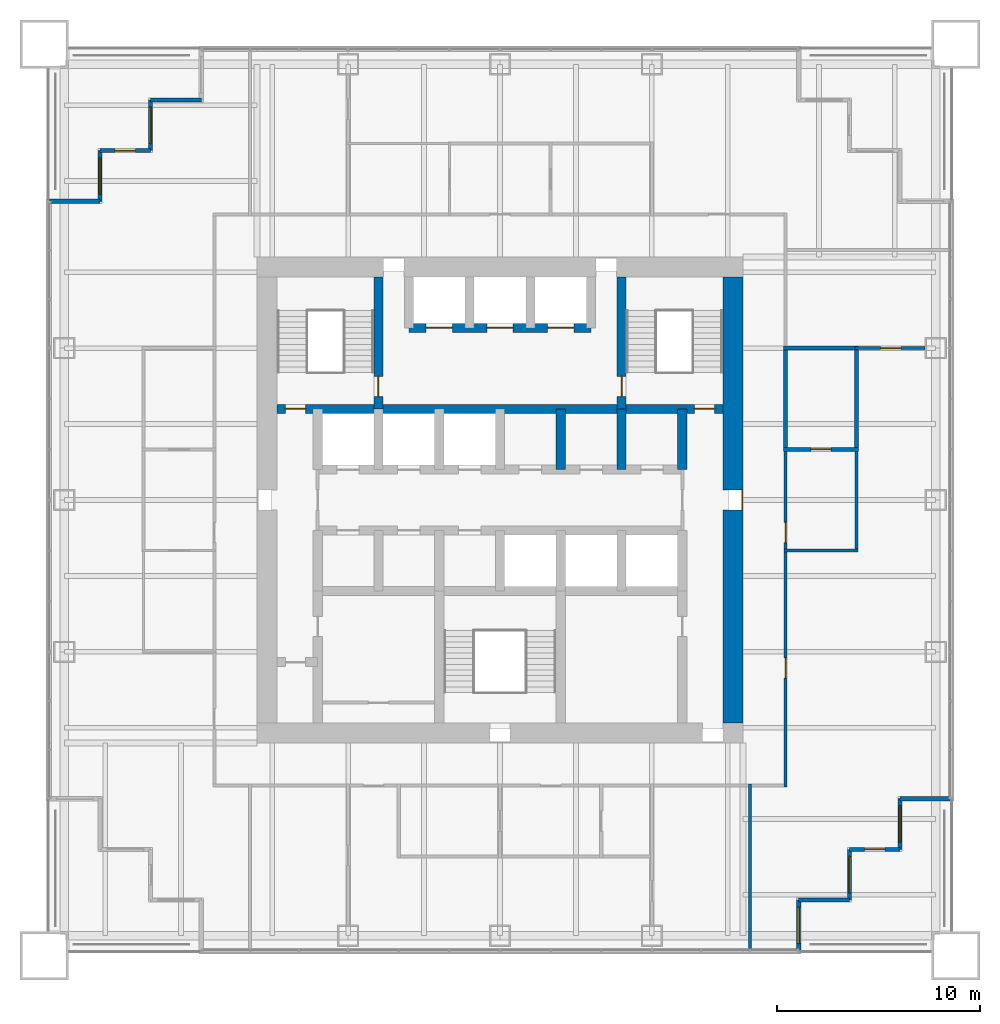
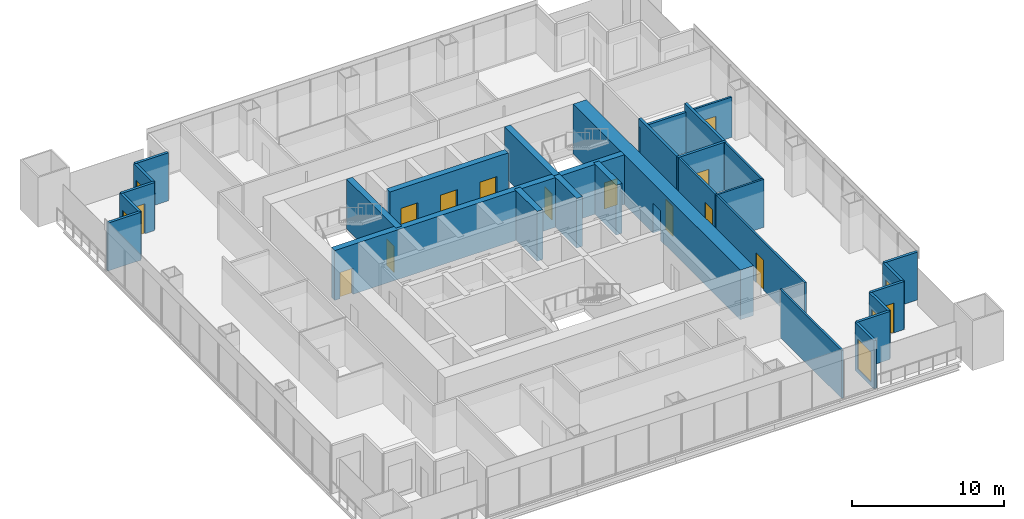
# One storey, part 10 of 13: 28 walls, 14 doors, 5 windows, 19 openings.
"""IFC4 building model written with IfcOpenShell, lengths in metres."""

from ifc_helpers import new_model, si_unit, direction, frame, frame_2d, origin, place, context, subcontext, project, spatial, rectangle, extrude, material, layer, layer_set, type_object, element, fill, save


model = new_model("IFC4")

# Units and contexts
model_context = context("Model", 3, precision=1e-05, world=origin(), true_north=direction((0.0, 1.0)))
body_context = subcontext(model_context, "Body", "Model", "MODEL_VIEW")
ifc_project = project(units=[si_unit("LENGTHUNIT", "METRE"), si_unit("AREAUNIT", "SQUARE_METRE"), si_unit("VOLUMEUNIT", "CUBIC_METRE"), si_unit("PLANEANGLEUNIT", "RADIAN"), si_unit("MASSUNIT", "GRAM", prefix="KILO")], contexts=[model_context])

# Site, building, storey
site_placement = place(None, origin())
site = spatial("IfcSite", under=ifc_project, at=site_placement, CompositionType="ELEMENT")
building_placement = place(site_placement, origin())
building = spatial("IfcBuilding", under=site, at=building_placement, Name="Tarangal Relay Tower", CompositionType="ELEMENT")
storey_placement = place(building_placement, frame((0.0, 0.0, 209.89990234375)))
storey = spatial("IfcBuildingStorey", under=building, at=storey_placement, Name="L44", CompositionType="ELEMENT", Elevation=209.89990234375)

# Wall, opening, door
ifc_material_1 = material(Name="Two layers gypsum board each side on twin steel studs, mineral wool", Category="steel")
ifc_layer_1 = layer(ifc_material_1, 0.199951171875)
ifc_layer_set_1 = layer_set([ifc_layer_1], Name="Acoustic partition 200")
wall_type_1 = type_object("IfcWallType", Name="Acoustic partition 200", PredefinedType="PARTITIONING", material=ifc_layer_set_1)
wall_1_placement = place(storey_placement, frame((14.0, 2.5, 0.0), z_axis=(0.0, 0.0, 1.0), x_axis=(1.0, 0.0, 0.0)))
wall_1 = element("IfcWall", 1, at=wall_1_placement, inside=storey, type_object=wall_type_1, Name="Partition PT2 L44", PredefinedType="PARTITIONING", context=body_context, shape_type="SweptSolid", body=[
    extrude(rectangle(XDim=3.699951171875, YDim=0.199951171875, at=frame_2d((1.85009765625, 0.0))), origin(), (0.0, 0.0, 1.0), 3.85009765625),
])
opening_1_placement = place(wall_1_placement, frame((1.35009765625, 0.0, 0.0)))
opening_1 = element("IfcOpeningElement", 2, at=opening_1_placement, cuts=wall_1, Name="Opening D2", PredefinedType="OPENING", context=body_context, shape_type="SweptSolid", body=[
    extrude(rectangle(XDim=1.0, YDim=2.10009765625, at=frame_2d((0.5, 1.050048828125))), frame((0.0, 0.10986328125, 0.0), z_axis=(0.0, -1.0, 0.0), x_axis=(1.0, 0.0, 0.0)), (0.0, 0.0, 1.0), 0.219970703125),
])
ifc_material_2 = material(Name="Hardwood door", Category="wood")
door_type_1 = type_object("IfcDoorType", Name="Door 1000 x 2100", OperationType="SINGLE_SWING_LEFT", PredefinedType="DOOR", material=ifc_material_2)
door_1_placement = place(opening_1_placement, origin())
door_1 = element("IfcDoor", 3, at=door_1_placement, inside=storey, type_object=door_type_1, Name="Door D2 to meeting room L44-07", OperationType="SINGLE_SWING_LEFT", OverallHeight=2.10009765625, OverallWidth=1.0, PredefinedType="DOOR", context=body_context, shape_type="SweptSolid", body=[
    extrude(rectangle(XDim=1.0, YDim=2.10009765625, at=frame_2d((0.5, 1.050048828125))), frame((0.0, 0.02490234375, 0.0), z_axis=(0.0, -1.0, 0.0), x_axis=(1.0, 0.0, 0.0)), (0.0, 0.0, 1.0), 0.050048828125),
])
fill(opening_1, door_1)

# Walls
wall_2_placement = place(storey_placement, frame((14.0, 7.5, 0.0), z_axis=(0.0, 0.0, 1.0), x_axis=(1.0, 0.0, 0.0)))
element("IfcWall", 4, at=wall_2_placement, inside=storey, type_object=wall_type_1, Name="Partition PT2 L44", PredefinedType="PARTITIONING", context=body_context, shape_type="SweptSolid", body=[
    extrude(rectangle(XDim=3.699951171875, YDim=0.199951171875, at=frame_2d((1.85009765625, 0.0))), origin(), (0.0, 0.0, 1.0), 3.238037109375),
])
for number, where, z_axis, x_axis, name in (
    (5, (14.10009765625, 2.39990234375, 0.0), (0.0, 0.0, 1.0), (0.0, 1.0, 0.0), "Partition PT2 L44"),
    (6, (17.60009765625, 2.39990234375, 0.0), (0.0, 0.0, 1.0), (0.0, 1.0, 0.0), "Partition PT2 L44"),
):
    element("IfcWall", number, at=place(storey_placement, frame(where, z_axis=z_axis, x_axis=x_axis)), inside=storey, type_object=wall_type_1, Name=name, PredefinedType="PARTITIONING", context=body_context, shape_type="SweptSolid", body=[
        extrude(rectangle(XDim=5.2001953125, YDim=0.199951171875, at=frame_2d((2.60009765625, 0.0))), origin(), (0.0, 0.0, 1.0), 3.85009765625),
    ])

# Wall, openings, doors
ifc_material_3 = material(Name="Concrete fc' 60 MPa", Category="concrete")
ifc_layer_2 = layer(ifc_material_3, 0.449951171875)
ifc_layer_set_2 = layer_set([ifc_layer_2], Name="Core inner wall 450")
wall_type_2 = type_object("IfcWallType", Name="Core inner wall 450", PredefinedType="SHEAR", material=ifc_layer_set_2)
wall_3_placement = place(storey_placement, frame((-11.0, 4.5, 0.0), z_axis=(0.0, 0.0, 1.0), x_axis=(1.0, 0.0, 0.0)))
wall_3 = element("IfcWall", 7, at=wall_3_placement, inside=storey, type_object=wall_type_2, Name="Core wall Y45 L44", PredefinedType="SHEAR", context=body_context, shape_type="SweptSolid", body=[
    extrude(rectangle(XDim=22.0, YDim=0.449951171875, at=frame_2d((11.0, 0.0))), origin(), (0.0, 0.0, 1.0), 4.0),
])
opening_2_placement = place(wall_3_placement, frame((0.39990234375, 0.0, 0.0)))
opening_2 = element("IfcOpeningElement", 8, at=opening_2_placement, cuts=wall_3, Name="Opening FD1", PredefinedType="OPENING", context=body_context, shape_type="SweptSolid", body=[
    extrude(rectangle(XDim=1.0, YDim=2.10009765625, at=frame_2d((0.5, 1.050048828125))), frame((0.0, 0.23486328125, 0.0), z_axis=(0.0, -1.0, 0.0), x_axis=(1.0, 0.0, 0.0)), (0.0, 0.0, 1.0), 0.469970703125),
])
opening_3_placement = place(wall_3_placement, frame((20.60009765625, 0.0, 0.0)))
opening_3 = element("IfcOpeningElement", 9, at=opening_3_placement, cuts=wall_3, Name="Opening FD1", PredefinedType="OPENING", context=body_context, shape_type="SweptSolid", body=[
    extrude(rectangle(XDim=1.0, YDim=2.10009765625, at=frame_2d((0.5, 1.050048828125))), frame((0.0, 0.23486328125, 0.0), z_axis=(0.0, -1.0, 0.0), x_axis=(1.0, 0.0, 0.0)), (0.0, 0.0, 1.0), 0.469970703125),
])
ifc_material_4 = material(Name="Steel door with hardwood frame", Category="steel")
door_type_2 = type_object("IfcDoorType", Name="Fire door 1000 x 2100", OperationType="SINGLE_SWING_LEFT", PredefinedType="DOOR", material=ifc_material_4)
door_2_placement = place(opening_2_placement, origin())
door_2 = element("IfcDoor", 10, at=door_2_placement, inside=storey, type_object=door_type_2, Name="Stair ST-A door from corridor L44", OperationType="SINGLE_SWING_LEFT", OverallHeight=2.10009765625, OverallWidth=1.0, PredefinedType="DOOR", context=body_context, shape_type="SweptSolid", body=[
    extrude(rectangle(XDim=1.0, YDim=2.10009765625, at=frame_2d((0.5, 1.050048828125))), frame((0.0, 0.02490234375, 0.0), z_axis=(0.0, -1.0, 0.0), x_axis=(1.0, 0.0, 0.0)), (0.0, 0.0, 1.0), 0.050048828125),
])
fill(opening_2, door_2)
door_3_placement = place(opening_3_placement, origin())
door_3 = element("IfcDoor", 11, at=door_3_placement, inside=storey, type_object=door_type_2, Name="Stair ST-B door from corridor L44", OperationType="SINGLE_SWING_LEFT", OverallHeight=2.10009765625, OverallWidth=1.0, PredefinedType="DOOR", context=body_context, shape_type="SweptSolid", body=[
    extrude(rectangle(XDim=1.0, YDim=2.10009765625, at=frame_2d((0.5, 1.050048828125))), frame((0.0, 0.02490234375, 0.0), z_axis=(0.0, -1.0, 0.0), x_axis=(1.0, 0.0, 0.0)), (0.0, 0.0, 1.0), 0.050048828125),
])
fill(opening_3, door_3)

wall_4_placement = place(storey_placement, frame((-4.5, 8.5, 0.0), z_axis=(0.0, 0.0, 1.0), x_axis=(1.0, 0.0, 0.0)))
wall_4 = element("IfcWall", 12, at=wall_4_placement, inside=storey, type_object=wall_type_2, Name="Core wall Y85 L44", PredefinedType="SHEAR", context=body_context, shape_type="SweptSolid", body=[
    extrude(rectangle(XDim=9.0, YDim=0.449951171875, at=frame_2d((4.5, 0.0))), origin(), (0.0, 0.0, 1.0), 4.0),
])
opening_4_placement = place(wall_4_placement, frame((0.85009765625, 0.0, 0.0)))
opening_4 = element("IfcOpeningElement", 13, at=opening_4_placement, cuts=wall_4, Name="Opening LD2", PredefinedType="OPENING", context=body_context, shape_type="SweptSolid", body=[
    extrude(rectangle(XDim=1.300048828125, YDim=2.39990234375, at=frame_2d((0.64990234375, 1.199951171875))), frame((0.0, 0.23486328125, 0.0), z_axis=(0.0, -1.0, 0.0), x_axis=(1.0, 0.0, 0.0)), (0.0, 0.0, 1.0), 0.469970703125),
])
opening_5_placement = place(wall_4_placement, frame((6.85009765625, 0.0, 0.0)))
opening_5 = element("IfcOpeningElement", 14, at=opening_5_placement, cuts=wall_4, Name="Opening LD2", PredefinedType="OPENING", context=body_context, shape_type="SweptSolid", body=[
    extrude(rectangle(XDim=1.300048828125, YDim=2.39990234375, at=frame_2d((0.64990234375, 1.199951171875))), frame((0.0, 0.23486328125, 0.0), z_axis=(0.0, -1.0, 0.0), x_axis=(1.0, 0.0, 0.0)), (0.0, 0.0, 1.0), 0.469970703125),
])
opening_6_placement = place(wall_4_placement, frame((3.85009765625, 0.0, 0.0)))
opening_6 = element("IfcOpeningElement", 15, at=opening_6_placement, cuts=wall_4, Name="Opening LD2", PredefinedType="OPENING", context=body_context, shape_type="SweptSolid", body=[
    extrude(rectangle(XDim=1.300048828125, YDim=2.39990234375, at=frame_2d((0.64990234375, 1.199951171875))), frame((0.0, 0.23486328125, 0.0), z_axis=(0.0, -1.0, 0.0), x_axis=(1.0, 0.0, 0.0)), (0.0, 0.0, 1.0), 0.469970703125),
])
door_type_3 = type_object("IfcDoorType", Name="Lift landing door 1300 x 2400", OperationType="SLIDING_TO_LEFT", PredefinedType="DOOR", material=ifc_material_4)
door_4_placement = place(opening_4_placement, origin())
door_4 = element("IfcDoor", 16, at=door_4_placement, inside=storey, type_object=door_type_3, Name="Lift FF1 landing door L44", OperationType="SLIDING_TO_LEFT", OverallHeight=2.39990234375, OverallWidth=1.300048828125, PredefinedType="DOOR", context=body_context, shape_type="SweptSolid", body=[
    extrude(rectangle(XDim=1.300048828125, YDim=2.39990234375, at=frame_2d((0.64990234375, 1.199951171875))), frame((0.0, 0.02490234375, 0.0), z_axis=(0.0, -1.0, 0.0), x_axis=(1.0, 0.0, 0.0)), (0.0, 0.0, 1.0), 0.050048828125),
])
fill(opening_4, door_4)
door_5_placement = place(opening_5_placement, origin())
door_5 = element("IfcDoor", 17, at=door_5_placement, inside=storey, type_object=door_type_3, Name="Lift FF2 landing door L44", OperationType="SLIDING_TO_LEFT", OverallHeight=2.39990234375, OverallWidth=1.300048828125, PredefinedType="DOOR", context=body_context, shape_type="SweptSolid", body=[
    extrude(rectangle(XDim=1.300048828125, YDim=2.39990234375, at=frame_2d((0.64990234375, 1.199951171875))), frame((0.0, 0.02490234375, 0.0), z_axis=(0.0, -1.0, 0.0), x_axis=(1.0, 0.0, 0.0)), (0.0, 0.0, 1.0), 0.050048828125),
])
fill(opening_5, door_5)
door_6_placement = place(opening_6_placement, origin())
door_6 = element("IfcDoor", 18, at=door_6_placement, inside=storey, type_object=door_type_3, Name="Lift SV1 landing door L44", OperationType="SLIDING_TO_LEFT", OverallHeight=2.39990234375, OverallWidth=1.300048828125, PredefinedType="DOOR", context=body_context, shape_type="SweptSolid", body=[
    extrude(rectangle(XDim=1.300048828125, YDim=2.39990234375, at=frame_2d((0.64990234375, 1.199951171875))), frame((0.0, 0.02490234375, 0.0), z_axis=(0.0, -1.0, 0.0), x_axis=(1.0, 0.0, 0.0)), (0.0, 0.0, 1.0), 0.050048828125),
])
fill(opening_6, door_6)

# Walls
for number, where, z_axis, x_axis, name in (
    (19, (9.0, 1.5, 0.0), (0.0, 0.0, 1.0), (0.0, 1.0, 0.0), "Core wall X9N L44"),
    (20, (3.0, 1.5, 0.0), (0.0, 0.0, 1.0), (0.0, 1.0, 0.0), "Core wall X3N L44"),
    (21, (6.0, 1.5, 0.0), (0.0, 0.0, 1.0), (0.0, 1.0, 0.0), "Core wall X6N L44"),
):
    element("IfcWall", number, at=place(storey_placement, frame(where, z_axis=z_axis, x_axis=x_axis)), inside=storey, type_object=wall_type_2, Name=name, PredefinedType="SHEAR", context=body_context, shape_type="SweptSolid", body=[
        extrude(rectangle(XDim=3.0, YDim=0.449951171875, at=frame_2d((1.5, 0.0))), origin(), (0.0, 0.0, 1.0), 4.0),
    ])

# Wall, opening, door
wall_5_placement = place(storey_placement, frame((-6.0, 4.5, 0.0), z_axis=(0.0, 0.0, 1.0), x_axis=(0.0, 1.0, 0.0)))
wall_5 = element("IfcWall", 22, at=wall_5_placement, inside=storey, type_object=wall_type_2, Name="Core wall XM6 L44", PredefinedType="SHEAR", context=body_context, shape_type="SweptSolid", body=[
    extrude(rectangle(XDim=6.5, YDim=0.449951171875, at=frame_2d((3.25, 0.0))), origin(), (0.0, 0.0, 1.0), 4.0),
])
opening_7_placement = place(wall_5_placement, frame((0.60009765625, 0.0, 0.0)))
opening_7 = element("IfcOpeningElement", 23, at=opening_7_placement, cuts=wall_5, Name="Opening FD1", PredefinedType="OPENING", context=body_context, shape_type="SweptSolid", body=[
    extrude(rectangle(XDim=1.0, YDim=2.10009765625, at=frame_2d((0.5, 1.050048828125))), frame((0.0, 0.23486328125, 0.0), z_axis=(0.0, -1.0, 0.0), x_axis=(1.0, 0.0, 0.0)), (0.0, 0.0, 1.0), 0.469970703125),
])
door_7_placement = place(opening_7_placement, origin())
door_7 = element("IfcDoor", 24, at=door_7_placement, inside=storey, type_object=door_type_2, Name="Stair ST-A door from fire-fighting lobby L44", OperationType="SINGLE_SWING_LEFT", OverallHeight=2.10009765625, OverallWidth=1.0, PredefinedType="DOOR", context=body_context, shape_type="SweptSolid", body=[
    extrude(rectangle(XDim=1.0, YDim=2.10009765625, at=frame_2d((0.5, 1.050048828125))), frame((0.0, 0.02490234375, 0.0), z_axis=(0.0, -1.0, 0.0), x_axis=(1.0, 0.0, 0.0)), (0.0, 0.0, 1.0), 0.050048828125),
])
fill(opening_7, door_7)

wall_6_placement = place(storey_placement, frame((6.0, 4.5, 0.0), z_axis=(0.0, 0.0, 1.0), x_axis=(0.0, 1.0, 0.0)))
wall_6 = element("IfcWall", 25, at=wall_6_placement, inside=storey, type_object=wall_type_2, Name="Core wall X6 L44", PredefinedType="SHEAR", context=body_context, shape_type="SweptSolid", body=[
    extrude(rectangle(XDim=6.5, YDim=0.449951171875, at=frame_2d((3.25, 0.0))), origin(), (0.0, 0.0, 1.0), 4.0),
])
opening_8_placement = place(wall_6_placement, frame((0.60009765625, 0.0, 0.0)))
opening_8 = element("IfcOpeningElement", 26, at=opening_8_placement, cuts=wall_6, Name="Opening FD1", PredefinedType="OPENING", context=body_context, shape_type="SweptSolid", body=[
    extrude(rectangle(XDim=1.0, YDim=2.10009765625, at=frame_2d((0.5, 1.050048828125))), frame((0.0, 0.23486328125, 0.0), z_axis=(0.0, -1.0, 0.0), x_axis=(1.0, 0.0, 0.0)), (0.0, 0.0, 1.0), 0.469970703125),
])
door_8_placement = place(opening_8_placement, origin())
door_8 = element("IfcDoor", 27, at=door_8_placement, inside=storey, type_object=door_type_2, Name="Stair ST-B door from fire-fighting lobby L44", OperationType="SINGLE_SWING_LEFT", OverallHeight=2.10009765625, OverallWidth=1.0, PredefinedType="DOOR", context=body_context, shape_type="SweptSolid", body=[
    extrude(rectangle(XDim=1.0, YDim=2.10009765625, at=frame_2d((0.5, 1.050048828125))), frame((0.0, 0.02490234375, 0.0), z_axis=(0.0, -1.0, 0.0), x_axis=(1.0, 0.0, 0.0)), (0.0, 0.0, 1.0), 0.050048828125),
])
fill(opening_8, door_8)

ifc_layer_3 = layer(ifc_material_3, 1.0)
ifc_layer_set_3 = layer_set([ifc_layer_3], Name="Core wall 1000")
wall_type_3 = type_object("IfcWallType", Name="Core wall 1000", PredefinedType="SHEAR", material=ifc_layer_set_3)
wall_7_placement = place(storey_placement, frame((11.5, 11.0, 0.0), z_axis=(0.0, 0.0, 1.0), x_axis=(0.0, -1.0, 0.0)))
wall_7 = element("IfcWall", 28, at=wall_7_placement, inside=storey, type_object=wall_type_3, Name="Core wall E L44", PredefinedType="SHEAR", context=body_context, shape_type="SweptSolid", body=[
    extrude(rectangle(XDim=22.0, YDim=1.0, at=frame_2d((11.0, 0.0))), origin(), (0.0, 0.0, 1.0), 4.0),
])
opening_9_placement = place(wall_7_placement, frame((10.5, 0.0, 0.0)))
opening_9 = element("IfcOpeningElement", 29, at=opening_9_placement, cuts=wall_7, Name="Opening FD3", PredefinedType="OPENING", context=body_context, shape_type="SweptSolid", body=[
    extrude(rectangle(XDim=1.0, YDim=2.39990234375, at=frame_2d((0.5, 1.199951171875))), frame((0.0, 0.510009765625, 0.0), z_axis=(0.0, -1.0, 0.0), x_axis=(1.0, 0.0, 0.0)), (0.0, 0.0, 1.0), 1.02001953125),
])
door_type_4 = type_object("IfcDoorType", Name="Fire door 1000 x 2400 core entry", OperationType="SINGLE_SWING_RIGHT", PredefinedType="DOOR", material=ifc_material_4)
door_9_placement = place(opening_9_placement, origin())
door_9 = element("IfcDoor", 30, at=door_9_placement, inside=storey, type_object=door_type_4, Name="Core entry door east L44", OperationType="SINGLE_SWING_RIGHT", OverallHeight=2.39990234375, OverallWidth=1.0, PredefinedType="DOOR", context=body_context, shape_type="SweptSolid", body=[
    extrude(rectangle(XDim=1.0, YDim=2.39990234375, at=frame_2d((0.5, 1.199951171875))), frame((0.0, 0.48486328125, 0.0), z_axis=(0.0, -1.0, 0.0), x_axis=(1.0, 0.0, 0.0)), (0.0, 0.0, 1.0), 0.050048828125),
])
fill(opening_9, door_9)

# Wall
ifc_material_5 = material(Name="Black metal clad insulated wall", Category="steel")
ifc_layer_4 = layer(ifc_material_5, 0.199951171875)
ifc_layer_set_4 = layer_set([ifc_layer_4], Name="Corner wall metal clad 200")
wall_type_4 = type_object("IfcWallType", Name="Corner wall metal clad 200", PredefinedType="SOLIDWALL", material=ifc_layer_set_4)
wall_8_placement = place(storey_placement, frame((22.25, -14.75, 0.0), z_axis=(0.0, 0.0, 1.0), x_axis=(-1.0, 0.0, 0.0)))
element("IfcWall", 31, at=wall_8_placement, inside=storey, type_object=wall_type_4, Name="Facade wall E facade L44", PredefinedType="SOLIDWALL", context=body_context, shape_type="SweptSolid", body=[
    extrude(rectangle(XDim=2.5, YDim=0.199951171875, at=frame_2d((1.25, 0.0))), origin(), (0.0, 0.0, 1.0), 3.85009765625),
])

# Wall, opening, window
wall_9_placement = place(storey_placement, frame((19.75, -14.75, 0.0), z_axis=(0.0, 0.0, 1.0), x_axis=(0.0, -1.0, 0.0)))
wall_9 = element("IfcWall", 32, at=wall_9_placement, inside=storey, type_object=wall_type_4, Name="Facade wall E facade L44", PredefinedType="SOLIDWALL", context=body_context, shape_type="SweptSolid", body=[
    extrude(rectangle(XDim=2.5, YDim=0.199951171875, at=frame_2d((1.25, 0.0))), origin(), (0.0, 0.0, 1.0), 3.85009765625),
])
opening_10_placement = place(wall_9_placement, frame((0.35009765625, 0.0, 0.300048828125)))
opening_10 = element("IfcOpeningElement", 33, at=opening_10_placement, cuts=wall_9, Name="Opening WN2", PredefinedType="OPENING", context=body_context, shape_type="SweptSolid", body=[
    extrude(rectangle(XDim=1.800048828125, YDim=2.39990234375, at=frame_2d((0.89990234375, 1.199951171875))), frame((0.0, 0.10986328125, 0.0), z_axis=(0.0, -1.0, 0.0), x_axis=(1.0, 0.0, 0.0)), (0.0, 0.0, 1.0), 0.219970703125),
])
ifc_material_6 = material(Name="Dark tinted double glazing in black aluminium frame", Category="aluminium")
window_type = type_object("IfcWindowType", Name="Corner window 1800 x 2400", PartitioningType="SINGLE_PANEL", PredefinedType="WINDOW", material=ifc_material_6)
window_1_placement = place(opening_10_placement, origin())
window_1 = element("IfcWindow", 34, at=window_1_placement, inside=storey, type_object=window_type, Name="Corner window WN2 E facade L44", OverallHeight=2.39990234375, OverallWidth=1.800048828125, PartitioningType="SINGLE_PANEL", PredefinedType="WINDOW", context=body_context, shape_type="SweptSolid", body=[
    extrude(rectangle(XDim=1.800048828125, YDim=2.39990234375, at=frame_2d((0.89990234375, 1.199951171875))), frame((0.0, 0.030029296875, 0.0), z_axis=(0.0, -1.0, 0.0), x_axis=(1.0, 0.0, 0.0)), (0.0, 0.0, 1.0), 0.06005859375),
])
fill(opening_10, window_1)

# Wall, opening, door
wall_10_placement = place(storey_placement, frame((19.75, -17.25, 0.0), z_axis=(0.0, 0.0, 1.0), x_axis=(-1.0, 0.0, 0.0)))
wall_10 = element("IfcWall", 35, at=wall_10_placement, inside=storey, type_object=wall_type_4, Name="Facade wall E facade L44", PredefinedType="SOLIDWALL", context=body_context, shape_type="SweptSolid", body=[
    extrude(rectangle(XDim=2.5, YDim=0.199951171875, at=frame_2d((1.25, 0.0))), origin(), (0.0, 0.0, 1.0), 3.85009765625),
])
opening_11_placement = place(wall_10_placement, frame((0.75, 0.0, 0.0)))
opening_11 = element("IfcOpeningElement", 36, at=opening_11_placement, cuts=wall_10, Name="Opening TD1", PredefinedType="OPENING", context=body_context, shape_type="SweptSolid", body=[
    extrude(rectangle(XDim=1.0, YDim=2.39990234375, at=frame_2d((0.5, 1.199951171875))), frame((0.0, 0.10986328125, 0.0), z_axis=(0.0, -1.0, 0.0), x_axis=(1.0, 0.0, 0.0)), (0.0, 0.0, 1.0), 0.219970703125),
])
ifc_material_7 = material(Name="Aluminium glazed door", Category="aluminium")
door_type_5 = type_object("IfcDoorType", Name="Terrace door 1000 x 2400", OperationType="SINGLE_SWING_RIGHT", PredefinedType="DOOR", material=ifc_material_7)
door_10_placement = place(opening_11_placement, origin())
door_10 = element("IfcDoor", 37, at=door_10_placement, inside=storey, type_object=door_type_5, Name="Terrace door TD1 SE L44", OperationType="SINGLE_SWING_RIGHT", OverallHeight=2.39990234375, OverallWidth=1.0, PredefinedType="DOOR", context=body_context, shape_type="SweptSolid", body=[
    extrude(rectangle(XDim=1.0, YDim=2.39990234375, at=frame_2d((0.5, 1.199951171875))), frame((0.0, 0.02490234375, 0.0), z_axis=(0.0, -1.0, 0.0), x_axis=(1.0, 0.0, 0.0)), (0.0, 0.0, 1.0), 0.050048828125),
])
fill(opening_11, door_10)

# Wall, opening, window
wall_11_placement = place(storey_placement, frame((17.25, -17.25, 0.0), z_axis=(0.0, 0.0, 1.0), x_axis=(0.0, -1.0, 0.0)))
wall_11 = element("IfcWall", 38, at=wall_11_placement, inside=storey, type_object=wall_type_4, Name="Facade wall E facade L44", PredefinedType="SOLIDWALL", context=body_context, shape_type="SweptSolid", body=[
    extrude(rectangle(XDim=2.5, YDim=0.199951171875, at=frame_2d((1.25, 0.0))), origin(), (0.0, 0.0, 1.0), 3.85009765625),
])
opening_12_placement = place(wall_11_placement, frame((0.35009765625, 0.0, 0.300048828125)))
opening_12 = element("IfcOpeningElement", 39, at=opening_12_placement, cuts=wall_11, Name="Opening WN2", PredefinedType="OPENING", context=body_context, shape_type="SweptSolid", body=[
    extrude(rectangle(XDim=1.800048828125, YDim=2.39990234375, at=frame_2d((0.89990234375, 1.199951171875))), frame((0.0, 0.10986328125, 0.0), z_axis=(0.0, -1.0, 0.0), x_axis=(1.0, 0.0, 0.0)), (0.0, 0.0, 1.0), 0.219970703125),
])
window_2_placement = place(opening_12_placement, origin())
window_2 = element("IfcWindow", 40, at=window_2_placement, inside=storey, type_object=window_type, Name="Corner window WN2 E facade L44", OverallHeight=2.39990234375, OverallWidth=1.800048828125, PartitioningType="SINGLE_PANEL", PredefinedType="WINDOW", context=body_context, shape_type="SweptSolid", body=[
    extrude(rectangle(XDim=1.800048828125, YDim=2.39990234375, at=frame_2d((0.89990234375, 1.199951171875))), frame((0.0, 0.030029296875, 0.0), z_axis=(0.0, -1.0, 0.0), x_axis=(1.0, 0.0, 0.0)), (0.0, 0.0, 1.0), 0.06005859375),
])
fill(opening_12, window_2)

# Wall
wall_12_placement = place(storey_placement, frame((17.25, -19.75, 0.0), z_axis=(0.0, 0.0, 1.0), x_axis=(-1.0, 0.0, 0.0)))
element("IfcWall", 41, at=wall_12_placement, inside=storey, type_object=wall_type_4, Name="Facade wall E facade L44", PredefinedType="SOLIDWALL", context=body_context, shape_type="SweptSolid", body=[
    extrude(rectangle(XDim=2.5, YDim=0.199951171875, at=frame_2d((1.25, 0.0))), origin(), (0.0, 0.0, 1.0), 3.85009765625),
])

# Wall, opening, window
wall_13_placement = place(storey_placement, frame((14.75, -19.75, 0.0), z_axis=(0.0, 0.0, 1.0), x_axis=(0.0, -1.0, 0.0)))
wall_13 = element("IfcWall", 42, at=wall_13_placement, inside=storey, type_object=wall_type_4, Name="Facade wall E facade L44", PredefinedType="SOLIDWALL", context=body_context, shape_type="SweptSolid", body=[
    extrude(rectangle(XDim=2.5, YDim=0.199951171875, at=frame_2d((1.25, 0.0))), origin(), (0.0, 0.0, 1.0), 3.85009765625),
])
opening_13_placement = place(wall_13_placement, frame((0.35009765625, 0.0, 0.300048828125)))
opening_13 = element("IfcOpeningElement", 43, at=opening_13_placement, cuts=wall_13, Name="Opening WN2", PredefinedType="OPENING", context=body_context, shape_type="SweptSolid", body=[
    extrude(rectangle(XDim=1.800048828125, YDim=2.39990234375, at=frame_2d((0.89990234375, 1.199951171875))), frame((0.0, 0.10986328125, 0.0), z_axis=(0.0, -1.0, 0.0), x_axis=(1.0, 0.0, 0.0)), (0.0, 0.0, 1.0), 0.219970703125),
])
window_3_placement = place(opening_13_placement, origin())
window_3 = element("IfcWindow", 44, at=window_3_placement, inside=storey, type_object=window_type, Name="Corner window WN2 E facade L44", OverallHeight=2.39990234375, OverallWidth=1.800048828125, PartitioningType="SINGLE_PANEL", PredefinedType="WINDOW", context=body_context, shape_type="SweptSolid", body=[
    extrude(rectangle(XDim=1.800048828125, YDim=2.39990234375, at=frame_2d((0.89990234375, 1.199951171875))), frame((0.0, 0.030029296875, 0.0), z_axis=(0.0, -1.0, 0.0), x_axis=(1.0, 0.0, 0.0)), (0.0, 0.0, 1.0), 0.06005859375),
])
fill(opening_13, window_3)

# Wall
wall_14_placement = place(storey_placement, frame((-22.25, 14.75, 0.0), z_axis=(0.0, 0.0, 1.0), x_axis=(1.0, 0.0, 0.0)))
element("IfcWall", 45, at=wall_14_placement, inside=storey, type_object=wall_type_4, Name="Facade wall W facade L44", PredefinedType="SOLIDWALL", context=body_context, shape_type="SweptSolid", body=[
    extrude(rectangle(XDim=2.5, YDim=0.199951171875, at=frame_2d((1.25, 0.0))), origin(), (0.0, 0.0, 1.0), 3.85009765625),
])

# Wall, opening, window
wall_15_placement = place(storey_placement, frame((-19.75, 14.75, 0.0), z_axis=(0.0, 0.0, 1.0), x_axis=(0.0, 1.0, 0.0)))
wall_15 = element("IfcWall", 46, at=wall_15_placement, inside=storey, type_object=wall_type_4, Name="Facade wall W facade L44", PredefinedType="SOLIDWALL", context=body_context, shape_type="SweptSolid", body=[
    extrude(rectangle(XDim=2.5, YDim=0.199951171875, at=frame_2d((1.25, 0.0))), origin(), (0.0, 0.0, 1.0), 3.85009765625),
])
opening_14_placement = place(wall_15_placement, frame((0.35009765625, 0.0, 0.300048828125)))
opening_14 = element("IfcOpeningElement", 47, at=opening_14_placement, cuts=wall_15, Name="Opening WN2", PredefinedType="OPENING", context=body_context, shape_type="SweptSolid", body=[
    extrude(rectangle(XDim=1.800048828125, YDim=2.39990234375, at=frame_2d((0.89990234375, 1.199951171875))), frame((0.0, 0.10986328125, 0.0), z_axis=(0.0, -1.0, 0.0), x_axis=(1.0, 0.0, 0.0)), (0.0, 0.0, 1.0), 0.219970703125),
])
window_4_placement = place(opening_14_placement, origin())
window_4 = element("IfcWindow", 48, at=window_4_placement, inside=storey, type_object=window_type, Name="Corner window WN2 W facade L44", OverallHeight=2.39990234375, OverallWidth=1.800048828125, PartitioningType="SINGLE_PANEL", PredefinedType="WINDOW", context=body_context, shape_type="SweptSolid", body=[
    extrude(rectangle(XDim=1.800048828125, YDim=2.39990234375, at=frame_2d((0.89990234375, 1.199951171875))), frame((0.0, 0.030029296875, 0.0), z_axis=(0.0, -1.0, 0.0), x_axis=(1.0, 0.0, 0.0)), (0.0, 0.0, 1.0), 0.06005859375),
])
fill(opening_14, window_4)

# Wall, opening, door
wall_16_placement = place(storey_placement, frame((-19.75, 17.25, 0.0), z_axis=(0.0, 0.0, 1.0), x_axis=(1.0, 0.0, 0.0)))
wall_16 = element("IfcWall", 49, at=wall_16_placement, inside=storey, type_object=wall_type_4, Name="Facade wall W facade L44", PredefinedType="SOLIDWALL", context=body_context, shape_type="SweptSolid", body=[
    extrude(rectangle(XDim=2.5, YDim=0.199951171875, at=frame_2d((1.25, 0.0))), origin(), (0.0, 0.0, 1.0), 3.85009765625),
])
opening_15_placement = place(wall_16_placement, frame((0.75, 0.0, 0.0)))
opening_15 = element("IfcOpeningElement", 50, at=opening_15_placement, cuts=wall_16, Name="Opening TD1", PredefinedType="OPENING", context=body_context, shape_type="SweptSolid", body=[
    extrude(rectangle(XDim=1.0, YDim=2.39990234375, at=frame_2d((0.5, 1.199951171875))), frame((0.0, 0.10986328125, 0.0), z_axis=(0.0, -1.0, 0.0), x_axis=(1.0, 0.0, 0.0)), (0.0, 0.0, 1.0), 0.219970703125),
])
door_11_placement = place(opening_15_placement, origin())
door_11 = element("IfcDoor", 51, at=door_11_placement, inside=storey, type_object=door_type_5, Name="Terrace door TD1 NW L44", OperationType="SINGLE_SWING_RIGHT", OverallHeight=2.39990234375, OverallWidth=1.0, PredefinedType="DOOR", context=body_context, shape_type="SweptSolid", body=[
    extrude(rectangle(XDim=1.0, YDim=2.39990234375, at=frame_2d((0.5, 1.199951171875))), frame((0.0, 0.02490234375, 0.0), z_axis=(0.0, -1.0, 0.0), x_axis=(1.0, 0.0, 0.0)), (0.0, 0.0, 1.0), 0.050048828125),
])
fill(opening_15, door_11)

# Wall, opening, window
wall_17_placement = place(storey_placement, frame((-17.25, 17.25, 0.0), z_axis=(0.0, 0.0, 1.0), x_axis=(0.0, 1.0, 0.0)))
wall_17 = element("IfcWall", 52, at=wall_17_placement, inside=storey, type_object=wall_type_4, Name="Facade wall W facade L44", PredefinedType="SOLIDWALL", context=body_context, shape_type="SweptSolid", body=[
    extrude(rectangle(XDim=2.5, YDim=0.199951171875, at=frame_2d((1.25, 0.0))), origin(), (0.0, 0.0, 1.0), 3.85009765625),
])
opening_16_placement = place(wall_17_placement, frame((0.35009765625, 0.0, 0.300048828125)))
opening_16 = element("IfcOpeningElement", 53, at=opening_16_placement, cuts=wall_17, Name="Opening WN2", PredefinedType="OPENING", context=body_context, shape_type="SweptSolid", body=[
    extrude(rectangle(XDim=1.800048828125, YDim=2.39990234375, at=frame_2d((0.89990234375, 1.199951171875))), frame((0.0, 0.10986328125, 0.0), z_axis=(0.0, -1.0, 0.0), x_axis=(1.0, 0.0, 0.0)), (0.0, 0.0, 1.0), 0.219970703125),
])
window_5_placement = place(opening_16_placement, origin())
window_5 = element("IfcWindow", 54, at=window_5_placement, inside=storey, type_object=window_type, Name="Corner window WN2 W facade L44", OverallHeight=2.39990234375, OverallWidth=1.800048828125, PartitioningType="SINGLE_PANEL", PredefinedType="WINDOW", context=body_context, shape_type="SweptSolid", body=[
    extrude(rectangle(XDim=1.800048828125, YDim=2.39990234375, at=frame_2d((0.89990234375, 1.199951171875))), frame((0.0, 0.030029296875, 0.0), z_axis=(0.0, -1.0, 0.0), x_axis=(1.0, 0.0, 0.0)), (0.0, 0.0, 1.0), 0.06005859375),
])
fill(opening_16, window_5)

# Walls
wall_18_placement = place(storey_placement, frame((-17.25, 19.75, 0.0), z_axis=(0.0, 0.0, 1.0), x_axis=(1.0, 0.0, 0.0)))
element("IfcWall", 55, at=wall_18_placement, inside=storey, type_object=wall_type_4, Name="Facade wall W facade L44", PredefinedType="SOLIDWALL", context=body_context, shape_type="SweptSolid", body=[
    extrude(rectangle(XDim=2.5, YDim=0.199951171875, at=frame_2d((1.25, 0.0))), origin(), (0.0, 0.0, 1.0), 3.85009765625),
])
ifc_material_8 = material(Name="Gypsum board on steel studs", Category="steel")
ifc_layer_5 = layer(ifc_material_8, 0.14990234375)
ifc_layer_set_5 = layer_set([ifc_layer_5], Name="Partition 150")
wall_type_5 = type_object("IfcWallType", Name="Partition 150", PredefinedType="PARTITIONING", material=ifc_layer_set_5)
wall_19_placement = place(storey_placement, frame((14.02490234375, -2.5, 0.0), z_axis=(0.0, 0.0, 1.0), x_axis=(1.0, 0.0, 0.0)))
element("IfcWall", 56, at=wall_19_placement, inside=storey, type_object=wall_type_5, Name="Partition PT1 L44", PredefinedType="PARTITIONING", context=body_context, shape_type="SweptSolid", body=[
    extrude(rectangle(XDim=3.650146484375, YDim=0.14990234375, at=frame_2d((1.8251953125, 0.0))), origin(), (0.0, 0.0, 1.0), 3.85009765625),
])

# Wall, opening, door
wall_20_placement = place(storey_placement, frame((17.52490234375, 7.5, 0.0), z_axis=(0.0, 0.0, 1.0), x_axis=(1.0, 0.0, 0.0)))
wall_20 = element("IfcWall", 57, at=wall_20_placement, inside=storey, type_object=wall_type_5, Name="Partition PT1 L44", PredefinedType="PARTITIONING", context=body_context, shape_type="SweptSolid", body=[
    extrude(rectangle(XDim=3.465087890625, YDim=0.14990234375, at=frame_2d((1.732421875, 0.0))), origin(), (0.0, 0.0, 1.0), 3.238037109375),
])
opening_17_placement = place(wall_20_placement, frame((1.27001953125, 0.0, 0.0)))
opening_17 = element("IfcOpeningElement", 58, at=opening_17_placement, cuts=wall_20, Name="Opening D2", PredefinedType="OPENING", context=body_context, shape_type="SweptSolid", body=[
    extrude(rectangle(XDim=1.0, YDim=2.10009765625, at=frame_2d((0.5, 1.050048828125))), frame((0.0, 0.0849609375, 0.0), z_axis=(0.0, -1.0, 0.0), x_axis=(1.0, 0.0, 0.0)), (0.0, 0.0, 1.0), 0.169921875),
])
door_12_placement = place(opening_17_placement, origin())
door_12 = element("IfcDoor", 59, at=door_12_placement, inside=storey, type_object=door_type_1, Name="Door D2 to executive office L44-06", OperationType="SINGLE_SWING_LEFT", OverallHeight=2.10009765625, OverallWidth=1.0, PredefinedType="DOOR", context=body_context, shape_type="SweptSolid", body=[
    extrude(rectangle(XDim=1.0, YDim=2.10009765625, at=frame_2d((0.5, 1.050048828125))), frame((0.0, 0.02490234375, 0.0), z_axis=(0.0, -1.0, 0.0), x_axis=(1.0, 0.0, 0.0)), (0.0, 0.0, 1.0), 0.050048828125),
])
fill(opening_17, door_12)

# Wall
wall_21_placement = place(storey_placement, frame((12.3330078125, -22.14990234375, 0.0), z_axis=(0.0, 0.0, 1.0), x_axis=(0.0, 1.0, 0.0)))
element("IfcWall", 60, at=wall_21_placement, inside=storey, type_object=wall_type_5, Name="Partition PT1 L44", PredefinedType="PARTITIONING", context=body_context, shape_type="SweptSolid", body=[
    extrude(rectangle(XDim=8.125, YDim=0.14990234375, at=frame_2d((4.0625, 0.0))), origin(), (0.0, 0.0, 1.0), 3.85009765625),
])

# Wall, openings, doors
wall_22_placement = place(storey_placement, frame((14.10009765625, -14.175048828125, 0.0), z_axis=(0.0, 0.0, 1.0), x_axis=(0.0, 1.0, 0.0)))
wall_22 = element("IfcWall", 61, at=wall_22_placement, inside=storey, type_object=wall_type_5, Name="Partition PT1 L44", PredefinedType="PARTITIONING", context=body_context, shape_type="SweptSolid", body=[
    extrude(rectangle(XDim=16.75, YDim=0.14990234375, at=frame_2d((8.375, 0.0))), origin(), (0.0, 0.0, 1.0), 3.85009765625),
])
opening_18_placement = place(wall_22_placement, frame((12.074951171875, 0.0, 0.0)))
opening_18 = element("IfcOpeningElement", 62, at=opening_18_placement, cuts=wall_22, Name="Opening SD1", PredefinedType="OPENING", context=body_context, shape_type="SweptSolid", body=[
    extrude(rectangle(XDim=1.0, YDim=2.39990234375, at=frame_2d((0.5, 1.199951171875))), frame((0.0, 0.0849609375, 0.0), z_axis=(0.0, -1.0, 0.0), x_axis=(1.0, 0.0, 0.0)), (0.0, 0.0, 1.0), 0.169921875),
])
opening_19_placement = place(wall_22_placement, frame((5.375, 0.0, 0.0)))
opening_19 = element("IfcOpeningElement", 63, at=opening_19_placement, cuts=wall_22, Name="Opening SD1", PredefinedType="OPENING", context=body_context, shape_type="SweptSolid", body=[
    extrude(rectangle(XDim=1.0, YDim=2.39990234375, at=frame_2d((0.5, 1.199951171875))), frame((0.0, 0.0849609375, 0.0), z_axis=(0.0, -1.0, 0.0), x_axis=(1.0, 0.0, 0.0)), (0.0, 0.0, 1.0), 0.169921875),
])
door_type_6 = type_object("IfcDoorType", Name="Suite entrance door 1000 x 2400", OperationType="SINGLE_SWING_RIGHT", PredefinedType="DOOR", material=ifc_material_4)
door_13_placement = place(opening_18_placement, origin())
door_13 = element("IfcDoor", 64, at=door_13_placement, inside=storey, type_object=door_type_6, Name="Door SD1 to reception L44-08", OperationType="SINGLE_SWING_RIGHT", OverallHeight=2.39990234375, OverallWidth=1.0, PredefinedType="DOOR", context=body_context, shape_type="SweptSolid", body=[
    extrude(rectangle(XDim=1.0, YDim=2.39990234375, at=frame_2d((0.5, 1.199951171875))), frame((0.0, 0.02490234375, 0.0), z_axis=(0.0, -1.0, 0.0), x_axis=(1.0, 0.0, 0.0)), (0.0, 0.0, 1.0), 0.050048828125),
])
fill(opening_18, door_13)
door_14_placement = place(opening_19_placement, origin())
door_14 = element("IfcDoor", 65, at=door_14_placement, inside=storey, type_object=door_type_6, Name="Door SD1 to open plan office L44-19", OperationType="SINGLE_SWING_RIGHT", OverallHeight=2.39990234375, OverallWidth=1.0, PredefinedType="DOOR", context=body_context, shape_type="SweptSolid", body=[
    extrude(rectangle(XDim=1.0, YDim=2.39990234375, at=frame_2d((0.5, 1.199951171875))), frame((0.0, 0.02490234375, 0.0), z_axis=(0.0, -1.0, 0.0), x_axis=(1.0, 0.0, 0.0)), (0.0, 0.0, 1.0), 0.050048828125),
])
fill(opening_19, door_14)

# Wall
wall_23_placement = place(storey_placement, frame((17.60009765625, -2.574951171875, 0.0), z_axis=(0.0, 0.0, 1.0), x_axis=(0.0, 1.0, 0.0)))
element("IfcWall", 66, at=wall_23_placement, inside=storey, type_object=wall_type_5, Name="Partition PT1 L44", PredefinedType="PARTITIONING", context=body_context, shape_type="SweptSolid", body=[
    extrude(rectangle(XDim=5.14990234375, YDim=0.14990234375, at=frame_2d((2.574951171875, 0.0))), origin(), (0.0, 0.0, 1.0), 3.85009765625),
])

save(model, "model.ifc")
